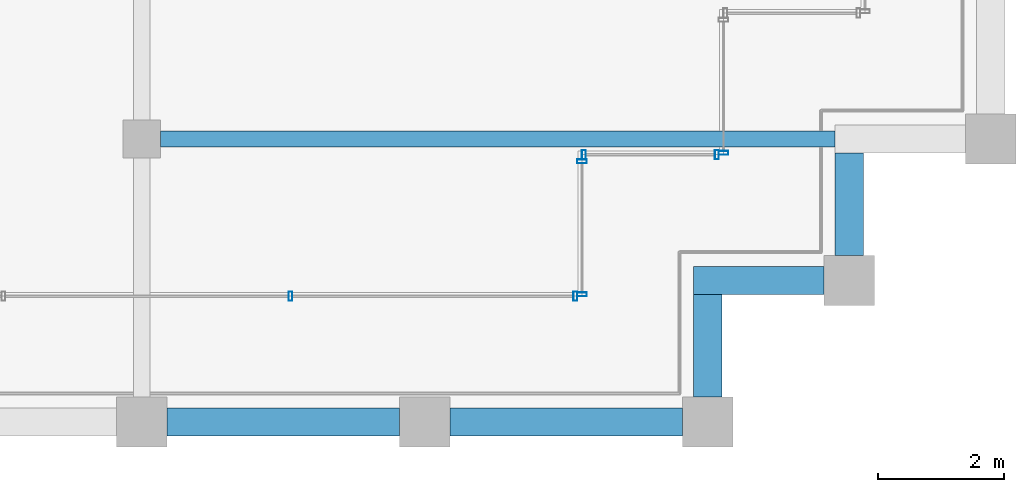
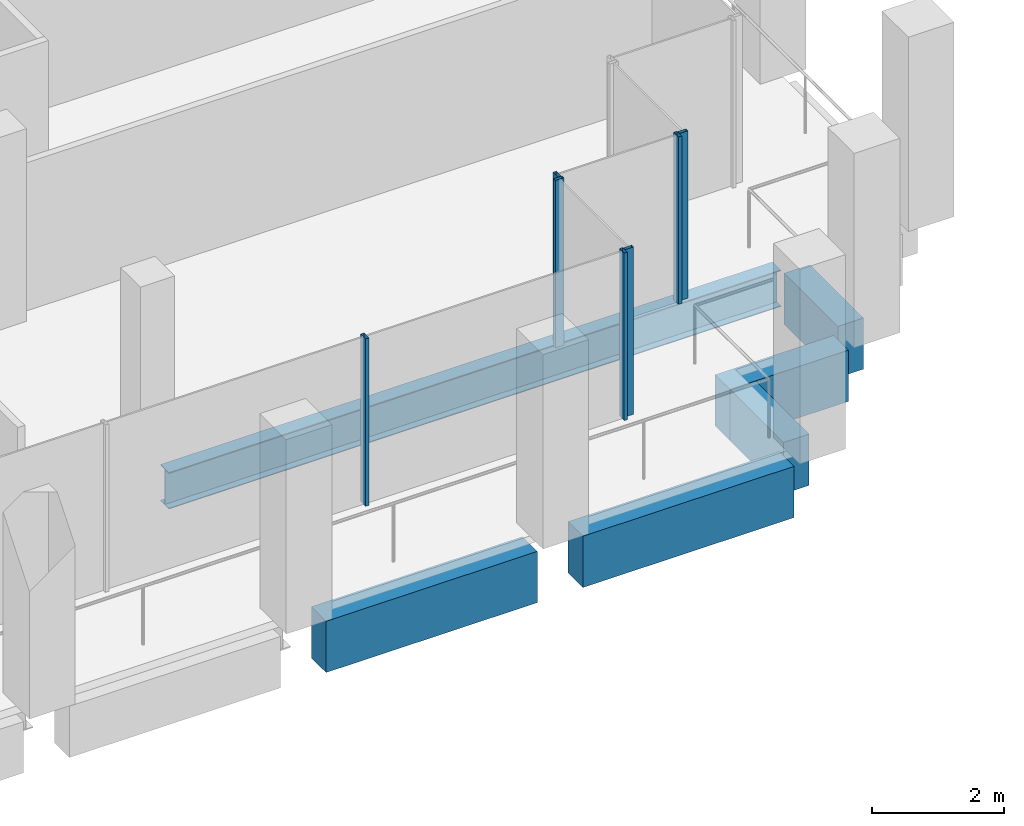
# One storey, part 12 of 41: 7 members, 6 beams, 4 elements without a shape of their own.
"""IFC4 building model written with IfcOpenShell, lengths in metres."""

import ifcopenshell
import ifcopenshell.guid

model = None  # the IFC model being written
_history = None  # IfcOwnerHistory: only IFC2X3 demands one
_inside = {}  # id of a spatial element -> (the spatial element, [elements in it])
_under = {}  # id of a project, library or spatial element -> (it, [spatial elements below it])
_declared = {}  # id of a project -> (the project, [libraries it declares])
_typed = {}  # id of a type object -> (the type object, [elements of that type])
_made_of = {}  # id of a material, layer set ... -> (it, [elements and type objects made of it])


def new_model(schema):
    """Start an empty IFC model of exactly this schema.

    Asked for "IFC4X3", IfcOpenShell would pick the latest addendum, in which some entities
    have other attributes; the version numbers below select the first issue.
    IFC2X3 requires an IfcOwnerHistory on every rooted entity: one is made here for all.
    """
    global model, _history
    if schema == "IFC4X3":
        model = ifcopenshell.file(schema_version=(4, 3, 0, 0))
    else:
        model = ifcopenshell.file(schema=schema)
    _inside.clear()
    _under.clear()
    _declared.clear()
    _typed.clear()
    _made_of.clear()
    _history = None
    if model.schema == "IFC2X3":
        org = make("IfcOrganization", Name="unknown")
        user = make(
            "IfcPersonAndOrganization",
            ThePerson=make("IfcPerson", FamilyName="unknown"),
            TheOrganization=org,
        )
        app = make(
            "IfcApplication",
            ApplicationDeveloper=org,
            Version="unknown",
            ApplicationFullName="unknown",
            ApplicationIdentifier="unknown",
        )
        _history = make(
            "IfcOwnerHistory",
            OwningUser=user,
            OwningApplication=app,
            ChangeAction="ADDED",
            CreationDate=0,
        )
    return model


def make(cls, **values):
    """One entity of the class cls with the attributes given. An attribute that is None is left unset."""
    return model.create_entity(
        cls, **{name: value for name, value in values.items() if value is not None}
    )


def rooted(cls, **values):
    """An entity with a GlobalId (a new one), such as an element, a storey or a relation."""
    return make(cls, GlobalId=ifcopenshell.guid.new(), OwnerHistory=_history, **values)


def si_unit(unit_type, name, prefix=None):
    """IfcSIUnit, for example si_unit("LENGTHUNIT", "METRE", prefix="MILLI")."""
    return make("IfcSIUnit", UnitType=unit_type, Prefix=prefix, Name=name)


def assignment(units):
    """IfcUnitAssignment: the units of a project."""
    return None if units is None else make("IfcUnitAssignment", Units=units)


def point(xyz):
    """IfcCartesianPoint."""
    return None if xyz is None else make("IfcCartesianPoint", Coordinates=xyz)


def direction(xyz):
    """IfcDirection."""
    return None if xyz is None else make("IfcDirection", DirectionRatios=xyz)


def frame(location, z_axis=None, x_axis=None):
    """IfcAxis2Placement3D, a coordinate frame: its origin and axes. An axis left out is left unset."""
    return make(
        "IfcAxis2Placement3D",
        Location=point(location),
        Axis=direction(z_axis),
        RefDirection=direction(x_axis),
    )


def frame_2d(location, x_axis=None):
    """IfcAxis2Placement2D, a coordinate frame in the plane: its origin and x axis."""
    return make(
        "IfcAxis2Placement2D", Location=point(location), RefDirection=direction(x_axis)
    )


def origin():
    """The frame at (0, 0, 0) with its axes left unset."""
    return frame((0.0, 0.0, 0.0))


def origin_2d():
    """The frame at (0, 0) in the plane with its x axis left unset."""
    return frame_2d((0.0, 0.0))


def place(relative_to, where):
    """IfcLocalPlacement: puts the frame where relative to a parent placement (None: the world)."""
    return make(
        "IfcLocalPlacement", PlacementRelTo=relative_to, RelativePlacement=where
    )


def context(
    kind, dimensions, precision=None, world=None, true_north=None, identifier=None
):
    """IfcGeometricRepresentationContext, for example the 3D "Model" context."""
    return make(
        "IfcGeometricRepresentationContext",
        ContextIdentifier=identifier,
        ContextType=kind,
        CoordinateSpaceDimension=dimensions,
        Precision=precision,
        WorldCoordinateSystem=world,
        TrueNorth=true_north,
    )


def subcontext(parent, identifier, kind, view, scale=None):
    """IfcGeometricRepresentationSubContext, for example "Body" below "Model"."""
    return make(
        "IfcGeometricRepresentationSubContext",
        ContextIdentifier=identifier,
        ContextType=kind,
        ParentContext=parent,
        TargetScale=scale,
        TargetView=view,
    )


def project(units=None, contexts=None):
    """IfcProject with its units and contexts."""
    return rooted(
        "IfcProject",
        Name="project",
        RepresentationContexts=contexts,
        UnitsInContext=assignment(units),
    )


def spatial(cls, under=None, at=None, **own):
    """A site, building, storey or space (cls), placed at a placement, below another one or the project."""
    s = rooted(cls, ObjectPlacement=at, **own)
    if under is not None:
        _under.setdefault(under.id(), (under, []))[1].append(s)
    return s


def profile(cls, at=None, kind="AREA", **sizes):
    """A parametric profile (cls). Its sizes go by their IFC names, for example OverallWidth=200.0."""
    return make(cls, ProfileType=kind, Position=at, **sizes)


def rectangle(**sizes):
    """IfcRectangleProfileDef."""
    return profile("IfcRectangleProfileDef", **sizes)


def hollow_rectangle(**sizes):
    """IfcRectangleHollowProfileDef."""
    return profile("IfcRectangleHollowProfileDef", **sizes)


def i_section(**sizes):
    """IfcIShapeProfileDef."""
    return profile("IfcIShapeProfileDef", **sizes)


def extrude(swept, where, along, depth):
    """IfcExtrudedAreaSolid: the profile swept, set in the frame where, extruded along a direction by depth."""
    return make(
        "IfcExtrudedAreaSolid",
        SweptArea=swept,
        Position=where,
        ExtrudedDirection=direction(along),
        Depth=depth,
    )


def shape(context_of_items, identifier, shape_type, items):
    """IfcShapeRepresentation: the items that make up one representation, for example the "Body"."""
    return make(
        "IfcShapeRepresentation",
        ContextOfItems=context_of_items,
        RepresentationIdentifier=identifier,
        RepresentationType=shape_type,
        Items=items,
    )


def material(Name=None, Category=None):
    """IfcMaterial."""
    return make("IfcMaterial", Name=Name, Category=Category)


def material_profile(
    of_material, cross_section, Name=None, Category=None, Priority=None
):
    """IfcMaterialProfile: a cross section and its material."""
    return make(
        "IfcMaterialProfile",
        Name=Name,
        Material=of_material,
        Profile=cross_section,
        Priority=Priority,
        Category=Category,
    )


def profile_set(profiles, Name=None, composite=None):
    """IfcMaterialProfileSet."""
    return make(
        "IfcMaterialProfileSet",
        Name=Name,
        MaterialProfiles=profiles,
        CompositeProfile=composite,
    )


def made_of(thing, what):
    """Note that an element or type object is made of a material, layer set ...; save() writes the relation."""
    if what is not None:
        _made_of.setdefault(what.id(), (what, []))[1].append(thing)
    return thing


def type_object(cls, material=None, **own):
    """A type object (cls), such as IfcWallType, which elements share."""
    return made_of(rooted(cls, **own), material)


def element(
    cls,
    number,
    at=None,
    inside=None,
    cuts=None,
    type_object=None,
    material=None,
    context=None,
    identifier="Body",
    shape_type=None,
    held_by="IfcProductDefinitionShape",
    body=None,
    shapes=None,
    **own,
):
    """One element of the class cls, such as IfcWall. Its Tag is "e" and its number.

    at: its placement. inside: the storey or other place that contains it. cuts: it is an
    opening in that element (IfcRelVoidsElement). A single representation is given by context,
    identifier, shape_type and body (its items); several are given by shapes. held_by: the class
    of the entity that holds the representations. save() writes the other relations.
    """
    e = rooted(cls, Tag="e%d" % number, ObjectPlacement=at, **own)
    if body is not None:
        shapes = [shape(context, identifier, shape_type, body)]
    if shapes is not None:
        e.Representation = make(held_by, Representations=shapes)
    if inside is not None:
        _inside.setdefault(inside.id(), (inside, []))[1].append(e)
    if cuts is not None:
        rooted(
            "IfcRelVoidsElement", RelatingBuildingElement=cuts, RelatedOpeningElement=e
        )
    if type_object is not None:
        _typed.setdefault(type_object.id(), (type_object, []))[1].append(e)
    return made_of(e, material)


def aggregate(whole, parts):
    """IfcRelAggregates: a whole, such as a stair, and the parts it consists of."""
    return rooted("IfcRelAggregates", RelatingObject=whole, RelatedObjects=parts)


def save(model, path):
    """Write the relations noted so far, then the file.

    IfcRelAggregates (storeys below a building ...), IfcRelContainedInSpatialStructure (elements
    in a storey), IfcRelDefinesByType, IfcRelAssociatesMaterial and IfcRelDeclares: one each for
    every whole, place, type object, material and project.
    """
    for whole, parts in _under.values():
        aggregate(whole, parts)
    for where, things in _inside.values():
        rooted(
            "IfcRelContainedInSpatialStructure",
            RelatedElements=things,
            RelatingStructure=where,
        )
    for kind, things in _typed.values():
        rooted("IfcRelDefinesByType", RelatedObjects=things, RelatingType=kind)
    for what, things in _made_of.values():
        rooted("IfcRelAssociatesMaterial", RelatedObjects=things, RelatingMaterial=what)
    for by, libraries in _declared.values():
        rooted("IfcRelDeclares", RelatingContext=by, RelatedDefinitions=libraries)
    model.write(path)


model = new_model("IFC4")

# Units and contexts
model_context = context("Model", 3, precision=1e-05, world=origin(), true_north=direction((0.0, 1.0)))
body_context = subcontext(model_context, "Body", "Model", "MODEL_VIEW")
ifc_project = project(units=[si_unit("LENGTHUNIT", "METRE"), si_unit("AREAUNIT", "SQUARE_METRE"), si_unit("VOLUMEUNIT", "CUBIC_METRE"), si_unit("PLANEANGLEUNIT", "RADIAN"), si_unit("MASSUNIT", "GRAM", prefix="KILO")], contexts=[model_context])

# Site, building, storey
site_placement = place(None, origin())
site = spatial("IfcSite", under=ifc_project, at=site_placement, CompositionType="ELEMENT")
building_placement = place(site_placement, origin())
building = spatial("IfcBuilding", under=site, at=building_placement, Name="Altepetl Exchange Towers", CompositionType="ELEMENT")
storey_placement = place(building_placement, frame((0.0, 0.0, 206.39990234375)))
storey = spatial("IfcBuildingStorey", under=building, at=storey_placement, Name="L52", CompositionType="ELEMENT", Elevation=206.39990234375)

# Beam
ifc_material_1 = material(Name="Steel S355", Category="steel")
ifc_material_profile_1 = material_profile(ifc_material_1, i_section(OverallWidth=0.2529296875, OverallDepth=0.677978515625, WebThickness=0.01171875, FlangeThickness=0.016357421875, at=origin_2d()), Name="W27X84")
ifc_profile_set_1 = profile_set([ifc_material_profile_1], Name="Steel S355")
beam_type_1 = type_object("IfcBeamType", Name="Floor beam W27X84", PredefinedType="BEAM", material=ifc_profile_set_1)
beam_1_placement = place(storey_placement, frame((58.800048828125, 31.5, -0.489013671875), z_axis=(1.0, 0.0, 0.0), x_axis=(0.0, 1.0, 0.0)))
element("IfcBeam", 1, at=beam_1_placement, inside=storey, type_object=beam_type_1, Name="bm:A:L52:006", PredefinedType="BEAM", context=body_context, shape_type="SweptSolid", body=[
    extrude(i_section(OverallWidth=0.2529296875, OverallDepth=0.677978515625, WebThickness=0.01171875, FlangeThickness=0.016357421875, at=origin_2d()), origin(), (0.0, 0.0, 1.0), 10.724853515625),
])

# Curtain wall, members
ifc_material_2 = material(Name="Aluminium 6063-T6 glazing", Category="aluminium")
curtain_wall_type = type_object("IfcCurtainWallType", Name="Loggia glazing system", PredefinedType="NOTDEFINED", material=ifc_material_2)
curtain_wall_1_placement = place(storey_placement, origin())
curtain_wall_1 = element("IfcCurtainWall", 2, at=curtain_wall_1_placement, inside=storey, type_object=curtain_wall_type, Name="CW1 run", PredefinedType="NOTDEFINED")
ifc_material_3 = material(Name="Aluminium 6063-T6", Category="aluminium")
ifc_material_profile_2 = material_profile(ifc_material_3, hollow_rectangle(XDim=0.06005859375, YDim=0.14990234375, WallThickness=0.0029296875, at=origin_2d()), Name="Mullion 60x150 aluminium")
ifc_profile_set_2 = profile_set([ifc_material_profile_2], Name="Aluminium 6063-T6")
member_type = type_object("IfcMemberType", Name="Mullion 60x150 aluminium", PredefinedType="MULLION", material=ifc_profile_set_2)
member_1_placement = place(storey_placement, frame((60.8642578125, 29.0, 0.0)))
member_1 = element("IfcMember", 3, at=member_1_placement, type_object=member_type, Name="MU1 mullion", PredefinedType="MULLION", context=body_context, shape_type="SweptSolid", body=[
    extrude(hollow_rectangle(XDim=0.06005859375, YDim=0.14990234375, WallThickness=0.0029296875, at=origin_2d()), origin(), (0.0, 0.0, 1.0), 3.10009765625),
])
member_2_placement = place(storey_placement, frame((65.39501953125, 29.0, 0.0)))
member_2 = element("IfcMember", 4, at=member_2_placement, type_object=member_type, Name="MU1 mullion", PredefinedType="MULLION", context=body_context, shape_type="SweptSolid", body=[
    extrude(hollow_rectangle(XDim=0.06005859375, YDim=0.14990234375, WallThickness=0.0029296875, at=origin_2d()), origin(), (0.0, 0.0, 1.0), 3.10009765625),
])
aggregate(curtain_wall_1, [member_1, member_2])

curtain_wall_2_placement = place(storey_placement, origin())
curtain_wall_2 = element("IfcCurtainWall", 5, at=curtain_wall_2_placement, inside=storey, type_object=curtain_wall_type, Name="CW1 run", PredefinedType="NOTDEFINED")
member_3_placement = place(storey_placement, frame((65.5, 29.030029296875, 0.0), z_axis=(0.0, 0.0, 1.0), x_axis=(0.0, 1.0, 0.0)))
member_3 = element("IfcMember", 6, at=member_3_placement, type_object=member_type, Name="MU1 mullion", PredefinedType="MULLION", context=body_context, shape_type="SweptSolid", body=[
    extrude(hollow_rectangle(XDim=0.06005859375, YDim=0.14990234375, WallThickness=0.0029296875, at=origin_2d()), origin(), (0.0, 0.0, 1.0), 3.10009765625),
])
member_4_placement = place(storey_placement, frame((65.5, 31.14501953125, 0.0), z_axis=(0.0, 0.0, 1.0), x_axis=(0.0, 1.0, 0.0)))
member_4 = element("IfcMember", 7, at=member_4_placement, type_object=member_type, Name="MU1 mullion", PredefinedType="MULLION", context=body_context, shape_type="SweptSolid", body=[
    extrude(hollow_rectangle(XDim=0.06005859375, YDim=0.14990234375, WallThickness=0.0029296875, at=origin_2d()), origin(), (0.0, 0.0, 1.0), 3.10009765625),
])
aggregate(curtain_wall_2, [member_3, member_4])

curtain_wall_3_placement = place(storey_placement, origin())
curtain_wall_3 = element("IfcCurtainWall", 8, at=curtain_wall_3_placement, inside=storey, type_object=curtain_wall_type, Name="CW1 run", PredefinedType="NOTDEFINED")
member_5_placement = place(storey_placement, frame((65.530029296875, 31.25, 0.0)))
member_5 = element("IfcMember", 9, at=member_5_placement, type_object=member_type, Name="MU1 mullion", PredefinedType="MULLION", context=body_context, shape_type="SweptSolid", body=[
    extrude(hollow_rectangle(XDim=0.06005859375, YDim=0.14990234375, WallThickness=0.0029296875, at=origin_2d()), origin(), (0.0, 0.0, 1.0), 3.10009765625),
])
member_6_placement = place(storey_placement, frame((67.64501953125, 31.25, 0.0)))
member_6 = element("IfcMember", 10, at=member_6_placement, type_object=member_type, Name="MU1 mullion", PredefinedType="MULLION", context=body_context, shape_type="SweptSolid", body=[
    extrude(hollow_rectangle(XDim=0.06005859375, YDim=0.14990234375, WallThickness=0.0029296875, at=origin_2d()), origin(), (0.0, 0.0, 1.0), 3.10009765625),
])
aggregate(curtain_wall_3, [member_5, member_6])

# Curtain wall, member
curtain_wall_4_placement = place(storey_placement, origin())
curtain_wall_4 = element("IfcCurtainWall", 11, at=curtain_wall_4_placement, inside=storey, type_object=curtain_wall_type, Name="CW1 run", PredefinedType="NOTDEFINED")
member_7_placement = place(storey_placement, frame((67.75, 31.280029296875, 0.0), z_axis=(0.0, 0.0, 1.0), x_axis=(0.0, 1.0, 0.0)))
member_7 = element("IfcMember", 12, at=member_7_placement, type_object=member_type, Name="MU1 mullion", PredefinedType="MULLION", context=body_context, shape_type="SweptSolid", body=[
    extrude(hollow_rectangle(XDim=0.06005859375, YDim=0.14990234375, WallThickness=0.0029296875, at=origin_2d()), origin(), (0.0, 0.0, 1.0), 3.10009765625),
])
aggregate(curtain_wall_4, [member_7])

# Beams
ifc_material_4 = material(Name="Concrete C50/60 precast with cantera amarilla facing", Category="concrete")
ifc_material_profile_3 = material_profile(ifc_material_4, rectangle(XDim=0.449951171875, YDim=0.949951171875, at=origin_2d()), Name="450 x 950")
ifc_profile_set_3 = profile_set([ifc_material_profile_3], Name="Concrete C50/60 precast with cantera amarilla facing")
beam_type_2 = type_object("IfcBeamType", Name="Spandrel beam 450x950 cantera amarilla", PredefinedType="SPANDREL", material=ifc_profile_set_3)
for number, where, z_axis, x_axis, name in (
    (13, (58.89990234375, 27.0, -0.625), (1.0, 0.0, 0.0), (0.0, 1.0, 0.0), "sp:A:L52:006"),
    (14, (63.39990234375, 27.0, -0.625), (1.0, 0.0, 0.0), (0.0, 1.0, 0.0), "sp:A:L52:007"),
):
    element("IfcBeam", number, at=place(storey_placement, frame(where, z_axis=z_axis, x_axis=x_axis)), inside=storey, type_object=beam_type_2, Name=name, PredefinedType="SPANDREL", context=body_context, shape_type="SweptSolid", body=[
        extrude(rectangle(XDim=0.449951171875, YDim=0.949951171875, at=origin_2d()), origin(), (0.0, 0.0, 1.0), 3.7001953125),
    ])
beam_2_placement = place(storey_placement, frame((67.5, 27.39990234375, -0.625), z_axis=(0.0, 1.0, 0.0), x_axis=(-1.0, 0.0, 0.0)))
element("IfcBeam", 15, at=beam_2_placement, inside=storey, type_object=beam_type_2, Name="sp:A:L52:008", PredefinedType="SPANDREL", context=body_context, shape_type="SweptSolid", body=[
    extrude(rectangle(XDim=0.449951171875, YDim=0.949951171875, at=origin_2d()), origin(), (0.0, 0.0, 1.0), 1.625),
])
beam_3_placement = place(storey_placement, frame((67.27490234375, 29.25, -0.625), z_axis=(1.0, 0.0, 0.0), x_axis=(0.0, 1.0, 0.0)))
element("IfcBeam", 16, at=beam_3_placement, inside=storey, type_object=beam_type_2, Name="sp:A:L52:009", PredefinedType="SPANDREL", context=body_context, shape_type="SweptSolid", body=[
    extrude(rectangle(XDim=0.449951171875, YDim=0.949951171875, at=origin_2d()), origin(), (0.0, 0.0, 1.0), 2.0751953125),
])
beam_4_placement = place(storey_placement, frame((69.75, 29.64990234375, -0.625), z_axis=(0.0, 1.0, 0.0), x_axis=(-1.0, 0.0, 0.0)))
element("IfcBeam", 17, at=beam_4_placement, inside=storey, type_object=beam_type_2, Name="sp:A:L52:010", PredefinedType="SPANDREL", context=body_context, shape_type="SweptSolid", body=[
    extrude(rectangle(XDim=0.449951171875, YDim=0.949951171875, at=origin_2d()), origin(), (0.0, 0.0, 1.0), 1.625),
])

save(model, "model.ifc")
